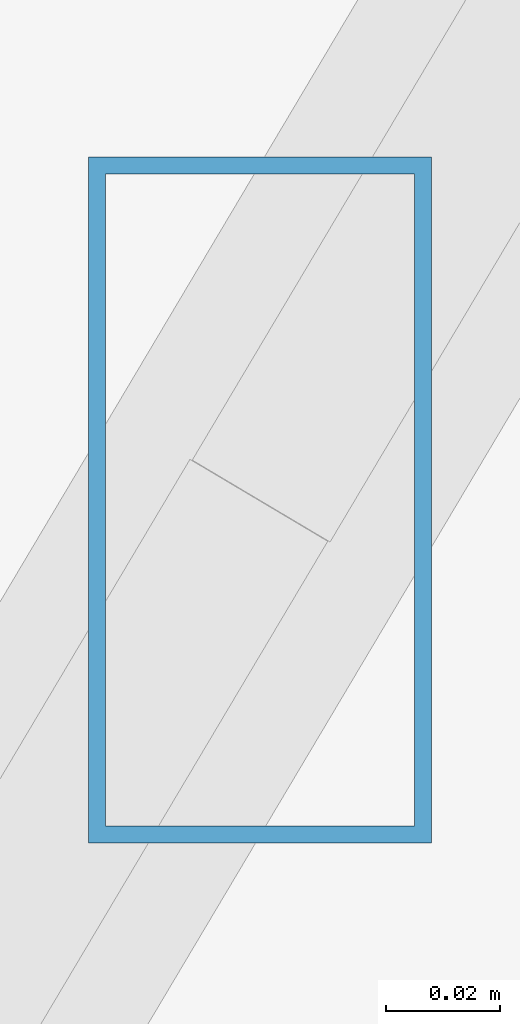
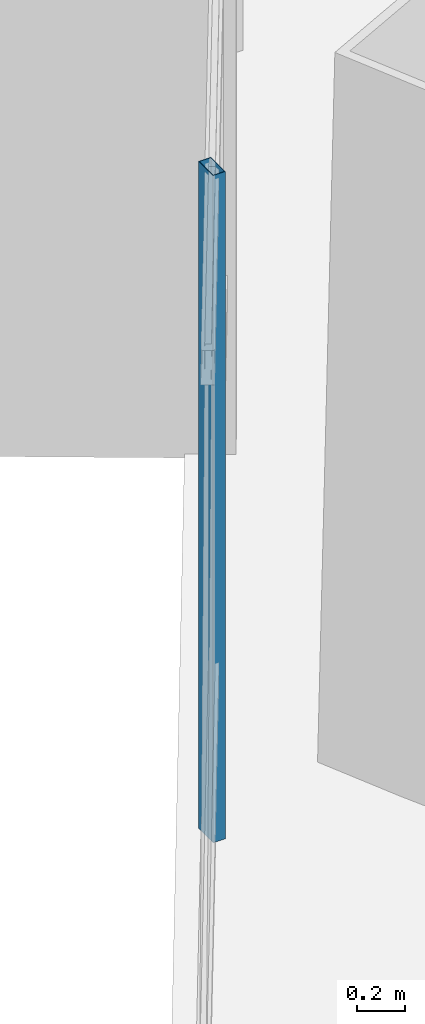
# One storey, part 7 of 49: 1 member, 1 element without a shape of its own.
"""IFC4 building model written with IfcOpenShell, lengths in metres."""

from ifc_helpers import new_model, si_unit, direction, frame, origin, origin_2d, place, context, subcontext, project, spatial, hollow_rectangle, extrude, source, transform, mapped, material, material_profile, profile_set, type_object, type_shapes, element, aggregate, save


model = new_model("IFC4")

# Units and contexts
model_context = context("Model", 3, precision=1e-05, world=origin(), true_north=direction((0.0, 1.0)))
body_context = subcontext(model_context, "Body", "Model", "MODEL_VIEW")
ifc_project = project(units=[si_unit("LENGTHUNIT", "METRE"), si_unit("AREAUNIT", "SQUARE_METRE"), si_unit("VOLUMEUNIT", "CUBIC_METRE"), si_unit("PLANEANGLEUNIT", "RADIAN"), si_unit("MASSUNIT", "GRAM", prefix="KILO")], contexts=[model_context])

# Site, building, storey
site_placement = place(None, origin())
site = spatial("IfcSite", under=ifc_project, at=site_placement, CompositionType="ELEMENT")
building_placement = place(site_placement, origin())
building = spatial("IfcBuilding", under=site, at=building_placement, Name="Caelisora Broadcast Tower", CompositionType="ELEMENT")
storey_placement = place(building_placement, frame((0.0, 0.0, 233.5)))
storey = spatial("IfcBuildingStorey", under=building, at=storey_placement, Name="L61", CompositionType="ELEMENT", Elevation=233.5)

# Curtain wall, member
ifc_material_1 = material(Name="Unitised Aluminium and Low-E Glass Curtain Wall", Category="glass")
curtain_wall_type = type_object("IfcCurtainWallType", Name="CW-Z5", PredefinedType="NOTDEFINED", material=ifc_material_1)
curtain_wall_placement = place(storey_placement, origin())
curtain_wall = element("IfcCurtainWall", 1, at=curtain_wall_placement, inside=storey, type_object=curtain_wall_type, Name="L61 curtain wall CW-Z5", PredefinedType="NOTDEFINED")
ifc_material_2 = material(Name="Aluminium 6063-T6 Anodised Terracotta Bronze", Category="aluminium")
ifc_material_profile = material_profile(ifc_material_2, hollow_rectangle(XDim=0.06005859375, YDim=0.1201171875, WallThickness=0.0029296875, at=origin_2d()), Name="Aluminium 6063-T6 Anodised Terracotta Bronze")
ifc_profile_set = profile_set([ifc_material_profile], Name="Aluminium 6063-T6 Anodised Terracotta Bronze")
member_type = type_object("IfcMemberType", Name="CWM-04", PredefinedType="MULLION", material=ifc_profile_set)
shared_shape = source(origin(), body_context, "Body", "SweptSolid", [
    extrude(hollow_rectangle(XDim=0.06005859375, YDim=0.1201171875, WallThickness=0.0029296875, at=origin_2d()), origin(), (0.0, 0.0, 1.0), 3.39990234375),
])
type_shapes(member_type, [shared_shape])
member_placement = place(storey_placement, frame((15.031982421875, 16.453857421875, 0.0), z_axis=(0.0, 0.0, 1.0), x_axis=(1.0, 0.0, 0.0)))
member = element("IfcMember", 2, at=member_placement, type_object=member_type, Name="L61-CW-B09 mullion #1", PredefinedType="MULLION", context=body_context, shape_type="MappedRepresentation", body=[
    mapped(shared_shape, transform((0.0, 0.0, 0.0), scale=1.0)),
])
aggregate(curtain_wall, [member])

save(model, "model.ifc")
